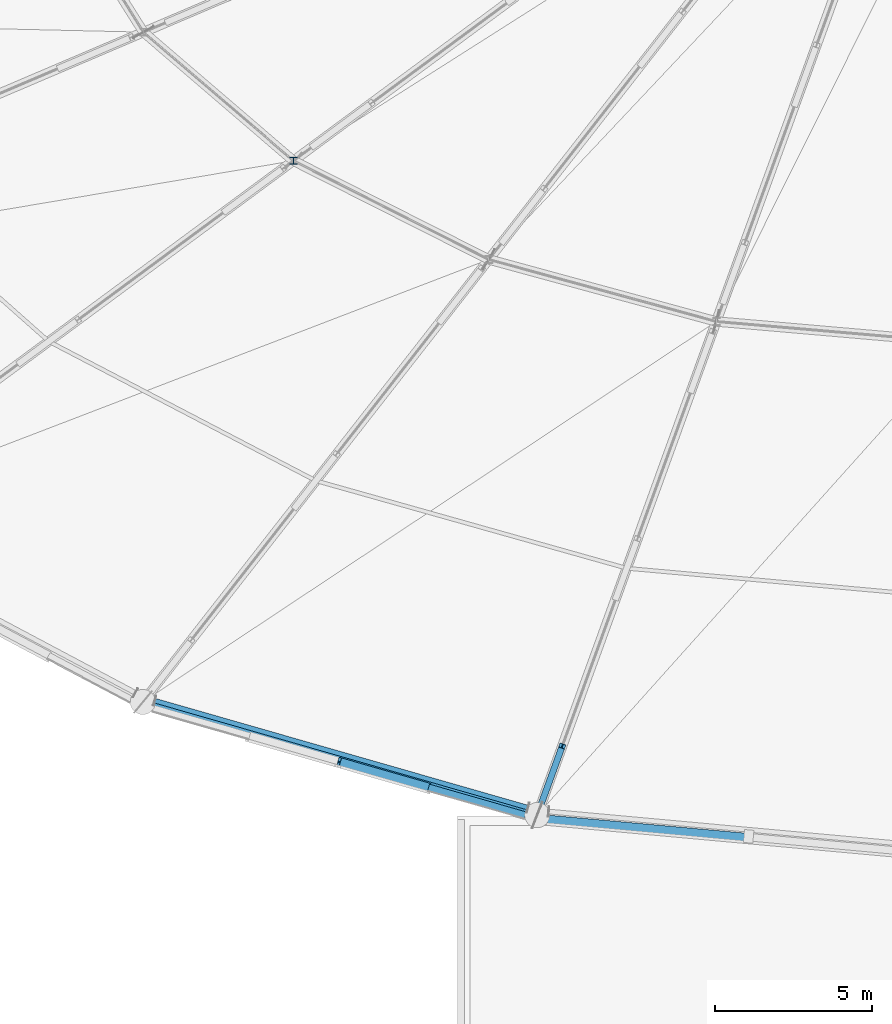
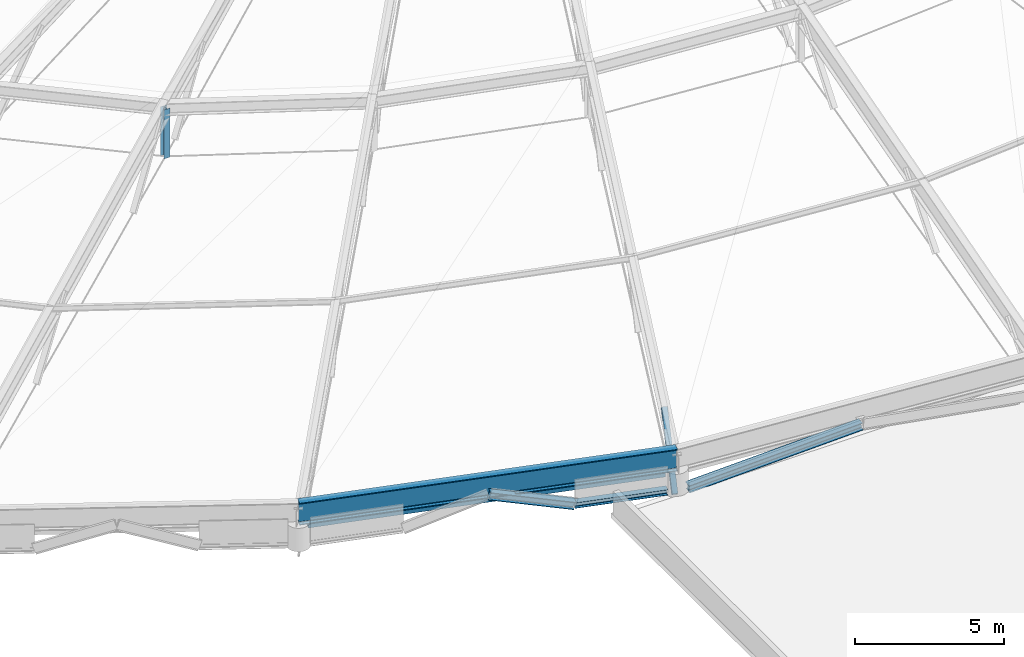
# One storey, part 2 of 83: 5 beams, 2 members.
"""IFC4 building model written with IfcOpenShell, lengths in metres."""

from ifc_helpers import new_model, si_unit, direction, frame, origin, origin_2d, place, context, subcontext, project, spatial, hollow_rectangle, i_section, extrude, material, material_profile, profile_set, type_object, element, save


model = new_model("IFC4")

# Units and contexts
model_context = context("Model", 3, precision=1e-05, world=origin(), true_north=direction((0.0, 1.0)))
body_context = subcontext(model_context, "Body", "Model", "MODEL_VIEW")
ifc_project = project(units=[si_unit("LENGTHUNIT", "METRE"), si_unit("AREAUNIT", "SQUARE_METRE"), si_unit("VOLUMEUNIT", "CUBIC_METRE"), si_unit("PLANEANGLEUNIT", "RADIAN"), si_unit("MASSUNIT", "GRAM", prefix="KILO")], contexts=[model_context])

# Site, building, storey
site_placement = place(None, origin())
site = spatial("IfcSite", under=ifc_project, at=site_placement, CompositionType="ELEMENT")
building_placement = place(site_placement, origin())
building = spatial("IfcBuilding", under=site, at=building_placement, Name="Kivolera Central Railway Station", CompositionType="ELEMENT")
storey_placement = place(building_placement, frame((0.0, 0.0, 14.39990234375)))
storey = spatial("IfcBuildingStorey", under=building, at=storey_placement, Name="L03", CompositionType="ELEMENT", Elevation=14.39990234375)

# Beams
ifc_material = material(Name="Steel S355", Category="steel")
ifc_material_profile_1 = material_profile(ifc_material, hollow_rectangle(XDim=0.14990234375, YDim=0.300048828125, WallThickness=0.012451171875, at=origin_2d()), Name="RHS 300x150x12.5")
ifc_profile_set_1 = profile_set([ifc_material_profile_1], Name="Steel S355")
beam_type_1 = type_object("IfcBeamType", Name="BM-ARCH-HOOD", PredefinedType="SPANDREL", material=ifc_profile_set_1)
beam_1_placement = place(storey_placement, frame((38.381103515625, 58.864990234375, 0.735107421875), z_axis=(0.961253150651, -0.275667155033, 0.0), x_axis=(0.275667155033, 0.961253150651, 0.0)))
element("IfcBeam", 1, at=beam_1_placement, inside=storey, type_object=beam_type_1, Name="Lantern Spandrel Hood Beam 17", PredefinedType="SPANDREL", context=body_context, shape_type="SweptSolid", body=[
    extrude(hollow_rectangle(XDim=0.14990234375, YDim=0.300048828125, WallThickness=0.012451171875, at=origin_2d()), origin(), (0.0, 0.0, 1.0), 12.3369140625),
])
ifc_material_profile_2 = material_profile(ifc_material, i_section(OverallWidth=0.300048828125, OverallDepth=0.300048828125, WebThickness=0.010986328125, FlangeThickness=0.01904296875, FilletRadius=0.027099609375, at=origin_2d()), Name="HEB 300")
ifc_profile_set_2 = profile_set([ifc_material_profile_2], Name="Steel S355")
beam_type_2 = type_object("IfcBeamType", Name="BM-LANT-ARCH", PredefinedType="SPANDREL", material=ifc_profile_set_2)
beam_2_placement = place(storey_placement, frame((44.237060546875, 56.909912109375, 1.06005859375), z_axis=(0.919725683626, -0.263680469647, -0.290821726846), x_axis=(0.275592325369, 0.96127460707, 0.0)))
element("IfcBeam", 2, at=beam_2_placement, inside=storey, type_object=beam_type_2, Name="Oval Lantern Structural Arch Rib 17.4", PredefinedType="SPANDREL", context=body_context, shape_type="SweptSolid", body=[
    extrude(i_section(OverallWidth=0.300048828125, OverallDepth=0.300048828125, WebThickness=0.010986328125, FlangeThickness=0.01904296875, FilletRadius=0.027099609375, at=origin_2d()), origin(), (0.0, 0.0, 1.0), 3.09423828125),
])
beam_3_placement = place(storey_placement, frame((50.884033203125, 55.074951171875, 0.1201171875), z_axis=(0.989974533366, -0.090218233627, 0.108678855382), x_axis=(0.090755788174, 0.995873178127, 0.0)))
element("IfcBeam", 3, at=beam_3_placement, inside=storey, type_object=beam_type_2, Name="Oval Lantern Structural Arch Rib 18.1", PredefinedType="SPANDREL", context=body_context, shape_type="SweptSolid", body=[
    extrude(i_section(OverallWidth=0.300048828125, OverallDepth=0.300048828125, WebThickness=0.010986328125, FlangeThickness=0.01904296875, FilletRadius=0.027099609375, at=origin_2d()), origin(), (0.0, 0.0, 1.0), 6.4404296875),
])
ifc_material_profile_3 = material_profile(ifc_material, i_section(OverallWidth=0.239990234375, OverallDepth=0.22998046875, WebThickness=0.007568359375, FlangeThickness=0.011962890625, FilletRadius=0.02099609375, at=origin_2d()), Name="HEA 240")
ifc_profile_set_3 = profile_set([ifc_material_profile_3], Name="Steel S355")
beam_type_3 = type_object("IfcBeamType", Name="BM-LANT-HTIE", PredefinedType="SPANDREL", material=ifc_profile_set_3)
beam_4_placement = place(storey_placement, frame((47.0830078125, 56.093994140625, 0.16015625), z_axis=(0.961204572077, -0.275836492541, 0.0), x_axis=(0.275836492541, 0.961204572077, 0.0)))
element("IfcBeam", 4, at=beam_4_placement, inside=storey, type_object=beam_type_3, Name="Lantern Arch Spandrel Haunch Tie 17R", PredefinedType="SPANDREL", context=body_context, shape_type="SweptSolid", body=[
    extrude(i_section(OverallWidth=0.239990234375, OverallDepth=0.22998046875, WebThickness=0.007568359375, FlangeThickness=0.011962890625, FilletRadius=0.02099609375, at=origin_2d()), origin(), (0.0, 0.0, 1.0), 3.20849609375),
])
ifc_material_profile_4 = material_profile(ifc_material, i_section(OverallWidth=0.300048828125, OverallDepth=0.89990234375, WebThickness=0.0185546875, FlangeThickness=0.034912109375, FilletRadius=0.030029296875, at=origin_2d()), Name="HEB 900")
ifc_profile_set_4 = profile_set([ifc_material_profile_4], Name="Steel S355")
beam_type_4 = type_object("IfcBeamType", Name="BM-ORB-HEB900", PredefinedType="BEAM", material=ifc_profile_set_4)
beam_5_placement = place(storey_placement, frame((38.0, 58.822998046875, 1.35009765625), z_axis=(0.961264358362, -0.275628070673, 0.0), x_axis=(0.275628070673, 0.961264358362, 0.0)))
element("IfcBeam", 5, at=beam_5_placement, inside=storey, type_object=beam_type_4, Name="Oval Dome Compression Ring Beam ORB-17", PredefinedType="BEAM", context=body_context, shape_type="SweptSolid", body=[
    extrude(i_section(OverallWidth=0.300048828125, OverallDepth=0.89990234375, WebThickness=0.0185546875, FlangeThickness=0.034912109375, FilletRadius=0.030029296875, at=origin_2d()), origin(), (0.0, 0.0, 1.0), 13.04638671875),
])

# Members
ifc_material_profile_5 = material_profile(ifc_material, i_section(OverallWidth=0.239990234375, OverallDepth=0.22998046875, WebThickness=0.007568359375, FlangeThickness=0.011962890625, FilletRadius=0.02099609375, at=origin_2d()), Name="HEA 240")
ifc_profile_set_5 = profile_set([ifc_material_profile_5], Name="Steel S355")
member_type_1 = type_object("IfcMemberType", Name="MEM-RAF-HEA240", PredefinedType="STRUT", material=ifc_profile_set_5)
member_1_placement = place(storey_placement, frame((42.787109375, 76.034912109375, 3.780029296875), z_axis=(0.0, 0.0, 1.0), x_axis=(1.0, 0.0, 0.0)))
element("IfcMember", 6, at=member_1_placement, inside=storey, type_object=member_type_1, Name="Dome Ring Spreader Post DP1-16", PredefinedType="STRUT", context=body_context, shape_type="SweptSolid", body=[
    extrude(i_section(OverallWidth=0.239990234375, OverallDepth=0.22998046875, WebThickness=0.007568359375, FlangeThickness=0.011962890625, FilletRadius=0.02099609375, at=origin_2d()), origin(), (0.0, 0.0, 1.0), 2.0),
])
ifc_material_profile_6 = material_profile(ifc_material, i_section(OverallWidth=0.199951171875, OverallDepth=0.199951171875, WebThickness=0.009033203125, FlangeThickness=0.014892578125, FilletRadius=0.01806640625, at=origin_2d()), Name="HEB 200")
ifc_profile_set_6 = profile_set([ifc_material_profile_6], Name="Steel S355")
member_type_2 = type_object("IfcMemberType", Name="MEM-RAF-HEB200", PredefinedType="RAFTER", material=ifc_profile_set_6)
member_2_placement = place(storey_placement, frame((50.655029296875, 55.541015625, -0.364990234375), z_axis=(0.230129257585, 0.63460384832, 0.737779425371), x_axis=(-0.940095542552, 0.340911089397, 0.0)))
element("IfcMember", 7, at=member_2_placement, inside=storey, type_object=member_type_2, Name="Dome Radial Truss Raking Web DWEB1-18.1", PredefinedType="RAFTER", context=body_context, shape_type="SweptSolid", body=[
    extrude(i_section(OverallWidth=0.199951171875, OverallDepth=0.199951171875, WebThickness=0.009033203125, FlangeThickness=0.014892578125, FilletRadius=0.01806640625, at=origin_2d()), origin(), (0.0, 0.0, 1.0), 2.96728515625),
])

save(model, "model.ifc")
